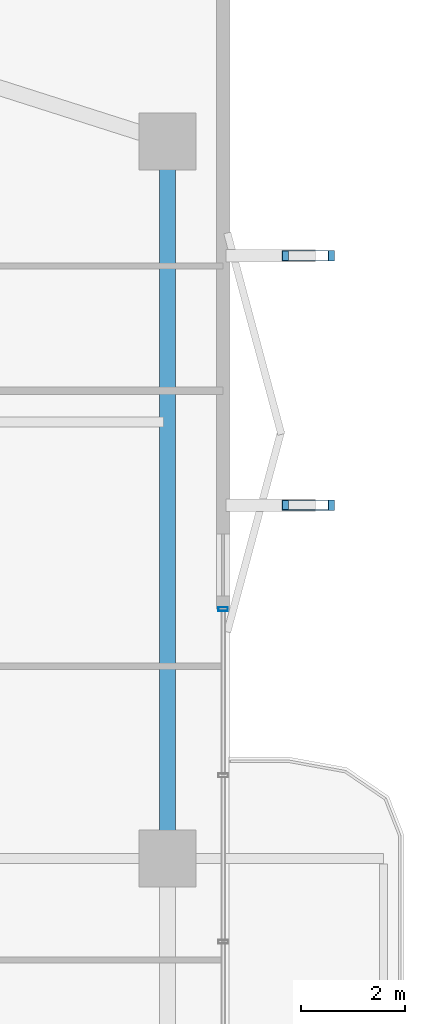
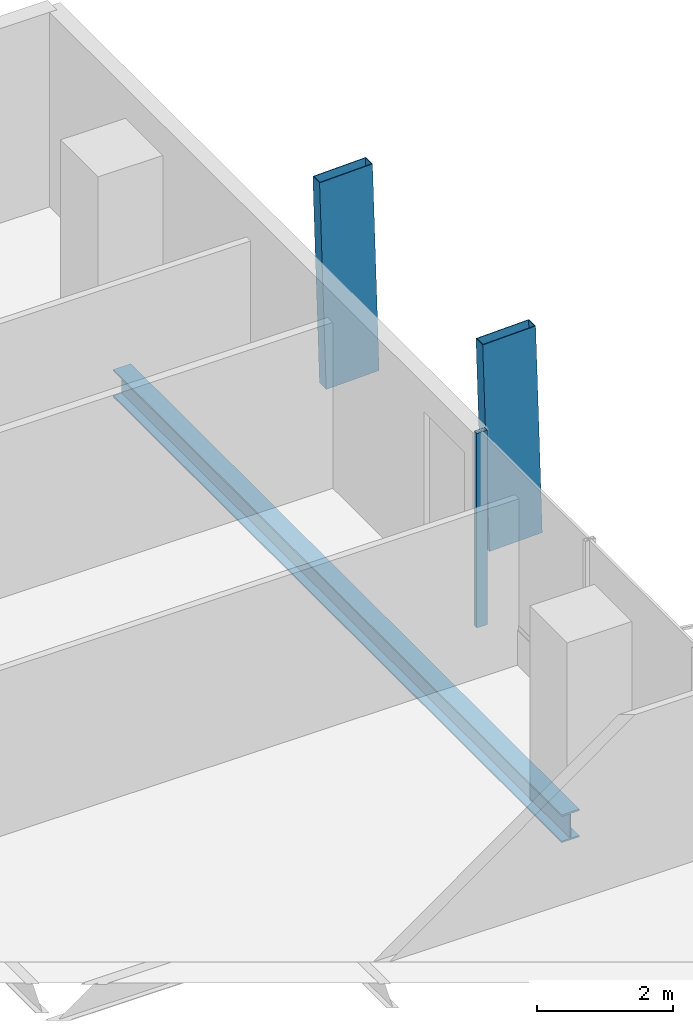
# One storey, part 16 of 25: 3 members, 1 beam, 1 element without a shape of its own.
"""IFC4 building model written with IfcOpenShell, lengths in metres."""

import ifcopenshell
import ifcopenshell.guid

model = None  # the IFC model being written
_history = None  # IfcOwnerHistory: only IFC2X3 demands one
_inside = {}  # id of a spatial element -> (the spatial element, [elements in it])
_under = {}  # id of a project, library or spatial element -> (it, [spatial elements below it])
_declared = {}  # id of a project -> (the project, [libraries it declares])
_typed = {}  # id of a type object -> (the type object, [elements of that type])
_made_of = {}  # id of a material, layer set ... -> (it, [elements and type objects made of it])


def new_model(schema):
    """Start an empty IFC model of exactly this schema.

    Asked for "IFC4X3", IfcOpenShell would pick the latest addendum, in which some entities
    have other attributes; the version numbers below select the first issue.
    IFC2X3 requires an IfcOwnerHistory on every rooted entity: one is made here for all.
    """
    global model, _history
    if schema == "IFC4X3":
        model = ifcopenshell.file(schema_version=(4, 3, 0, 0))
    else:
        model = ifcopenshell.file(schema=schema)
    _inside.clear()
    _under.clear()
    _declared.clear()
    _typed.clear()
    _made_of.clear()
    _history = None
    if model.schema == "IFC2X3":
        org = make("IfcOrganization", Name="unknown")
        user = make(
            "IfcPersonAndOrganization",
            ThePerson=make("IfcPerson", FamilyName="unknown"),
            TheOrganization=org,
        )
        app = make(
            "IfcApplication",
            ApplicationDeveloper=org,
            Version="unknown",
            ApplicationFullName="unknown",
            ApplicationIdentifier="unknown",
        )
        _history = make(
            "IfcOwnerHistory",
            OwningUser=user,
            OwningApplication=app,
            ChangeAction="ADDED",
            CreationDate=0,
        )
    return model


def make(cls, **values):
    """One entity of the class cls with the attributes given. An attribute that is None is left unset."""
    return model.create_entity(
        cls, **{name: value for name, value in values.items() if value is not None}
    )


def rooted(cls, **values):
    """An entity with a GlobalId (a new one), such as an element, a storey or a relation."""
    return make(cls, GlobalId=ifcopenshell.guid.new(), OwnerHistory=_history, **values)


def si_unit(unit_type, name, prefix=None):
    """IfcSIUnit, for example si_unit("LENGTHUNIT", "METRE", prefix="MILLI")."""
    return make("IfcSIUnit", UnitType=unit_type, Prefix=prefix, Name=name)


def assignment(units):
    """IfcUnitAssignment: the units of a project."""
    return None if units is None else make("IfcUnitAssignment", Units=units)


def point(xyz):
    """IfcCartesianPoint."""
    return None if xyz is None else make("IfcCartesianPoint", Coordinates=xyz)


def direction(xyz):
    """IfcDirection."""
    return None if xyz is None else make("IfcDirection", DirectionRatios=xyz)


def frame(location, z_axis=None, x_axis=None):
    """IfcAxis2Placement3D, a coordinate frame: its origin and axes. An axis left out is left unset."""
    return make(
        "IfcAxis2Placement3D",
        Location=point(location),
        Axis=direction(z_axis),
        RefDirection=direction(x_axis),
    )


def frame_2d(location, x_axis=None):
    """IfcAxis2Placement2D, a coordinate frame in the plane: its origin and x axis."""
    return make(
        "IfcAxis2Placement2D", Location=point(location), RefDirection=direction(x_axis)
    )


def origin():
    """The frame at (0, 0, 0) with its axes left unset."""
    return frame((0.0, 0.0, 0.0))


def origin_2d():
    """The frame at (0, 0) in the plane with its x axis left unset."""
    return frame_2d((0.0, 0.0))


def place(relative_to, where):
    """IfcLocalPlacement: puts the frame where relative to a parent placement (None: the world)."""
    return make(
        "IfcLocalPlacement", PlacementRelTo=relative_to, RelativePlacement=where
    )


def context(
    kind, dimensions, precision=None, world=None, true_north=None, identifier=None
):
    """IfcGeometricRepresentationContext, for example the 3D "Model" context."""
    return make(
        "IfcGeometricRepresentationContext",
        ContextIdentifier=identifier,
        ContextType=kind,
        CoordinateSpaceDimension=dimensions,
        Precision=precision,
        WorldCoordinateSystem=world,
        TrueNorth=true_north,
    )


def subcontext(parent, identifier, kind, view, scale=None):
    """IfcGeometricRepresentationSubContext, for example "Body" below "Model"."""
    return make(
        "IfcGeometricRepresentationSubContext",
        ContextIdentifier=identifier,
        ContextType=kind,
        ParentContext=parent,
        TargetScale=scale,
        TargetView=view,
    )


def project(units=None, contexts=None):
    """IfcProject with its units and contexts."""
    return rooted(
        "IfcProject",
        Name="project",
        RepresentationContexts=contexts,
        UnitsInContext=assignment(units),
    )


def spatial(cls, under=None, at=None, **own):
    """A site, building, storey or space (cls), placed at a placement, below another one or the project."""
    s = rooted(cls, ObjectPlacement=at, **own)
    if under is not None:
        _under.setdefault(under.id(), (under, []))[1].append(s)
    return s


def profile(cls, at=None, kind="AREA", **sizes):
    """A parametric profile (cls). Its sizes go by their IFC names, for example OverallWidth=200.0."""
    return make(cls, ProfileType=kind, Position=at, **sizes)


def hollow_rectangle(**sizes):
    """IfcRectangleHollowProfileDef."""
    return profile("IfcRectangleHollowProfileDef", **sizes)


def i_section(**sizes):
    """IfcIShapeProfileDef."""
    return profile("IfcIShapeProfileDef", **sizes)


def extrude(swept, where, along, depth):
    """IfcExtrudedAreaSolid: the profile swept, set in the frame where, extruded along a direction by depth."""
    return make(
        "IfcExtrudedAreaSolid",
        SweptArea=swept,
        Position=where,
        ExtrudedDirection=direction(along),
        Depth=depth,
    )


def shape(context_of_items, identifier, shape_type, items):
    """IfcShapeRepresentation: the items that make up one representation, for example the "Body"."""
    return make(
        "IfcShapeRepresentation",
        ContextOfItems=context_of_items,
        RepresentationIdentifier=identifier,
        RepresentationType=shape_type,
        Items=items,
    )


def material(Name=None, Category=None):
    """IfcMaterial."""
    return make("IfcMaterial", Name=Name, Category=Category)


def layer(
    of_material, thickness, ventilated=None, Name=None, Category=None, Priority=None
):
    """IfcMaterialLayer: one layer of a wall or slab, of a material (None: an air gap)."""
    return make(
        "IfcMaterialLayer",
        Material=of_material,
        LayerThickness=thickness,
        IsVentilated=ventilated,
        Name=Name,
        Category=Category,
        Priority=Priority,
    )


def layer_set(layers, Name=None):
    """IfcMaterialLayerSet."""
    return make("IfcMaterialLayerSet", MaterialLayers=layers, LayerSetName=Name)


def material_profile(
    of_material, cross_section, Name=None, Category=None, Priority=None
):
    """IfcMaterialProfile: a cross section and its material."""
    return make(
        "IfcMaterialProfile",
        Name=Name,
        Material=of_material,
        Profile=cross_section,
        Priority=Priority,
        Category=Category,
    )


def profile_set(profiles, Name=None, composite=None):
    """IfcMaterialProfileSet."""
    return make(
        "IfcMaterialProfileSet",
        Name=Name,
        MaterialProfiles=profiles,
        CompositeProfile=composite,
    )


def made_of(thing, what):
    """Note that an element or type object is made of a material, layer set ...; save() writes the relation."""
    if what is not None:
        _made_of.setdefault(what.id(), (what, []))[1].append(thing)
    return thing


def type_object(cls, material=None, **own):
    """A type object (cls), such as IfcWallType, which elements share."""
    return made_of(rooted(cls, **own), material)


def element(
    cls,
    number,
    at=None,
    inside=None,
    cuts=None,
    type_object=None,
    material=None,
    context=None,
    identifier="Body",
    shape_type=None,
    held_by="IfcProductDefinitionShape",
    body=None,
    shapes=None,
    **own,
):
    """One element of the class cls, such as IfcWall. Its Tag is "e" and its number.

    at: its placement. inside: the storey or other place that contains it. cuts: it is an
    opening in that element (IfcRelVoidsElement). A single representation is given by context,
    identifier, shape_type and body (its items); several are given by shapes. held_by: the class
    of the entity that holds the representations. save() writes the other relations.
    """
    e = rooted(cls, Tag="e%d" % number, ObjectPlacement=at, **own)
    if body is not None:
        shapes = [shape(context, identifier, shape_type, body)]
    if shapes is not None:
        e.Representation = make(held_by, Representations=shapes)
    if inside is not None:
        _inside.setdefault(inside.id(), (inside, []))[1].append(e)
    if cuts is not None:
        rooted(
            "IfcRelVoidsElement", RelatingBuildingElement=cuts, RelatedOpeningElement=e
        )
    if type_object is not None:
        _typed.setdefault(type_object.id(), (type_object, []))[1].append(e)
    return made_of(e, material)


def aggregate(whole, parts):
    """IfcRelAggregates: a whole, such as a stair, and the parts it consists of."""
    return rooted("IfcRelAggregates", RelatingObject=whole, RelatedObjects=parts)


def save(model, path):
    """Write the relations noted so far, then the file.

    IfcRelAggregates (storeys below a building ...), IfcRelContainedInSpatialStructure (elements
    in a storey), IfcRelDefinesByType, IfcRelAssociatesMaterial and IfcRelDeclares: one each for
    every whole, place, type object, material and project.
    """
    for whole, parts in _under.values():
        aggregate(whole, parts)
    for where, things in _inside.values():
        rooted(
            "IfcRelContainedInSpatialStructure",
            RelatedElements=things,
            RelatingStructure=where,
        )
    for kind, things in _typed.values():
        rooted("IfcRelDefinesByType", RelatedObjects=things, RelatingType=kind)
    for what, things in _made_of.values():
        rooted("IfcRelAssociatesMaterial", RelatedObjects=things, RelatingMaterial=what)
    for by, libraries in _declared.values():
        rooted("IfcRelDeclares", RelatingContext=by, RelatedDefinitions=libraries)
    model.write(path)


model = new_model("IFC4")

# Units and contexts
model_context = context("Model", 3, precision=1e-05, world=origin(), true_north=direction((0.0, 1.0)))
body_context = subcontext(model_context, "Body", "Model", "MODEL_VIEW")
ifc_project = project(units=[si_unit("LENGTHUNIT", "METRE"), si_unit("AREAUNIT", "SQUARE_METRE"), si_unit("VOLUMEUNIT", "CUBIC_METRE"), si_unit("PLANEANGLEUNIT", "RADIAN"), si_unit("MASSUNIT", "GRAM", prefix="KILO")], contexts=[model_context])

# Site, building, storey
site_placement = place(None, origin())
site = spatial("IfcSite", under=ifc_project, at=site_placement, CompositionType="ELEMENT")
building_placement = place(site_placement, origin())
building = spatial("IfcBuilding", under=site, at=building_placement, Name="Belovzor Exchange Tower", CompositionType="ELEMENT")
storey_placement = place(building_placement, frame((0.0, 0.0, 149.550048828125)))
storey = spatial("IfcBuildingStorey", under=building, at=storey_placement, Name="L36", CompositionType="ELEMENT", Elevation=149.550048828125)

# Members
ifc_material_1 = material(Name="Extruded Architectural Terracotta on Steel S355 Carrier", Category="masonry")
ifc_material_profile_1 = material_profile(ifc_material_1, hollow_rectangle(XDim=0.199951171875, YDim=0.89990234375, WallThickness=0.011962890625, at=origin_2d()))
ifc_profile_set_1 = profile_set([ifc_material_profile_1], Name="Extruded Architectural Terracotta on Steel S355 Carrier")
member_type_1 = type_object("IfcMemberType", Name="Sweeping Terracotta Baguette Fin Assembly 1250", PredefinedType="USERDEFINED", material=ifc_profile_set_1)
for number, where, z_axis, x_axis, name in (
    (1, (54.6640625, 35.60009765625, -0.255126953125), (-0.030129544208, 0.0, 0.999546002226), (0.0, -1.0, 0.0), "FIN-TC125 Terracotta Facade Fin L36 E3"),
    (2, (54.6640625, 40.39990234375, -0.255126953125), (-0.030129544208, 0.0, 0.999546002226), (0.0, -1.0, 0.0), "FIN-TC125 Terracotta Facade Fin L36 E4"),
):
    element("IfcMember", number, at=place(storey_placement, frame(where, z_axis=z_axis, x_axis=x_axis)), inside=storey, type_object=member_type_1, Name=name, ObjectType="FIN", PredefinedType="USERDEFINED", context=body_context, shape_type="SweptSolid", body=[
        extrude(hollow_rectangle(XDim=0.199951171875, YDim=0.89990234375, WallThickness=0.011962890625, at=origin_2d()), origin(), (0.0, 0.0, 1.0), 3.751708984375),
    ])

# Curtain wall, member
ifc_material_2 = material(Name="Anodised Aluminium Framing", Category="aluminium")
ifc_layer = layer(ifc_material_2, 0.179931640625)
ifc_layer_set = layer_set([ifc_layer], Name="Anodised Aluminium Framing")
curtain_wall_type = type_object("IfcCurtainWallType", Name="Recessed Loggia Low-Iron Triple-Glazed Curtain Wall", PredefinedType="NOTDEFINED", material=ifc_layer_set)
curtain_wall_placement = place(storey_placement, origin())
curtain_wall = element("IfcCurtainWall", 3, at=curtain_wall_placement, inside=storey, type_object=curtain_wall_type, Name="CW3 Recessed Loggia Low-Iron Triple-Glazed Curtain Wall L36", PredefinedType="NOTDEFINED")
ifc_material_3 = material(Name="Steel S355", Category="steel")
ifc_material_profile_2 = material_profile(ifc_material_3, hollow_rectangle(XDim=0.074951171875, YDim=0.179931640625, WallThickness=0.0048828125, at=origin_2d()))
ifc_profile_set_2 = profile_set([ifc_material_profile_2], Name="Steel S355")
member_type_2 = type_object("IfcMemberType", Name="Thermally Broken Curtain Wall Mullion 180x75", PredefinedType="MULLION", material=ifc_profile_set_2)
member_placement = place(storey_placement, frame((52.969970703125, 33.60009765625, 0.0), z_axis=(0.0, 0.0, 1.0), x_axis=(0.0, -1.0, 0.0)))
member = element("IfcMember", 4, at=member_placement, type_object=member_type_2, Name="CW-M180 Curtain Wall Mullion 1", PredefinedType="MULLION", context=body_context, shape_type="SweptSolid", body=[
    extrude(hollow_rectangle(XDim=0.074951171875, YDim=0.179931640625, WallThickness=0.0048828125, at=origin_2d()), origin(), (0.0, 0.0, 1.0), 3.494873046875),
])
aggregate(curtain_wall, [member])

# Beam
ifc_material_4 = material(Name="Steel S355", Category="steel")
ifc_material_profile_3 = material_profile(ifc_material_4, i_section(OverallWidth=0.300048828125, OverallDepth=0.5, WebThickness=0.014404296875, FlangeThickness=0.028076171875, at=origin_2d()))
ifc_profile_set_3 = profile_set([ifc_material_profile_3], Name="Steel S355")
beam_type = type_object("IfcBeamType", Name="Zone 3 Waist Primary Girder HEB 500", PredefinedType="BEAM", material=ifc_profile_set_3)
beam_placement = place(storey_placement, frame((51.89990234375, 29.10205078125, -0.505126953125), z_axis=(0.0, 1.0, 0.0), x_axis=(-1.0, 0.0, 0.0)))
element("IfcBeam", 5, at=beam_placement, inside=storey, type_object=beam_type, Name="FG-Z3 Zone 3 Waist Primary Girder HEB 500", PredefinedType="BEAM", context=body_context, shape_type="SweptSolid", body=[
    extrude(i_section(OverallWidth=0.300048828125, OverallDepth=0.5, WebThickness=0.014404296875, FlangeThickness=0.028076171875, at=origin_2d()), origin(), (0.0, 0.0, 1.0), 13.195068359375),
])

save(model, "model.ifc")
